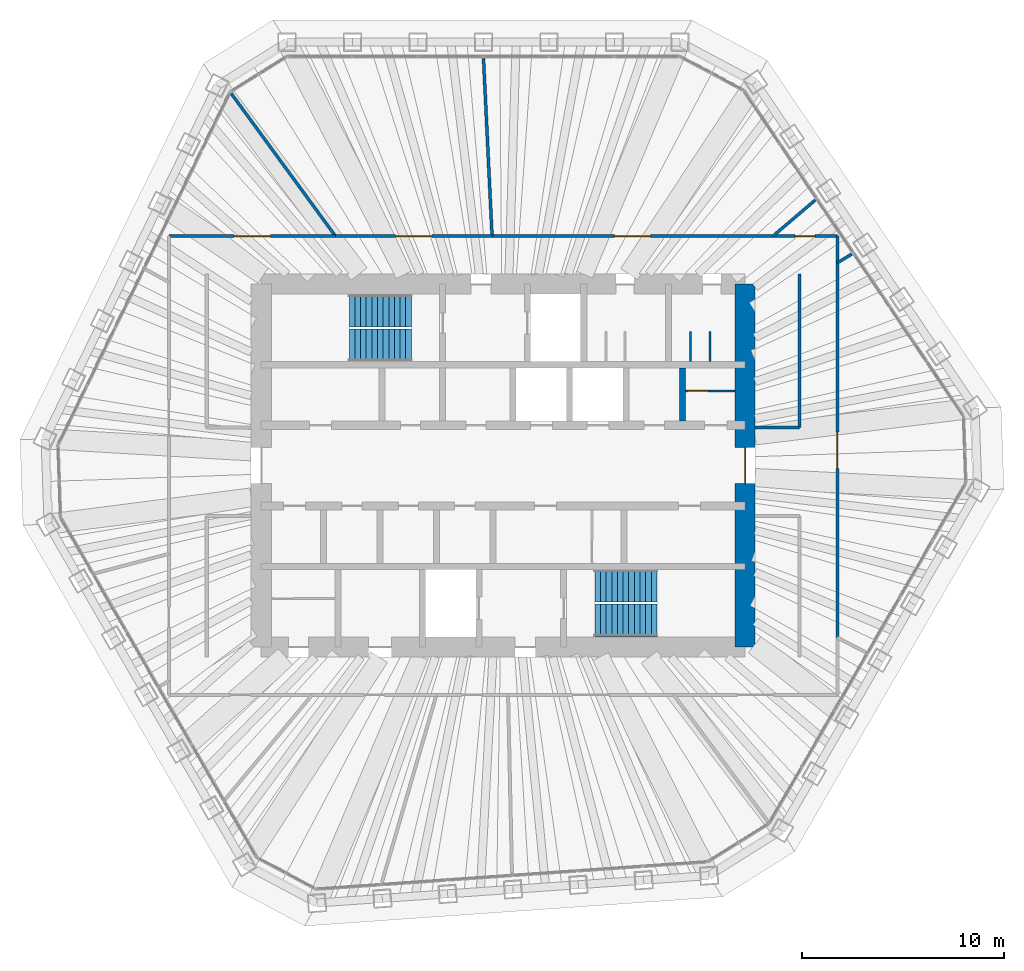
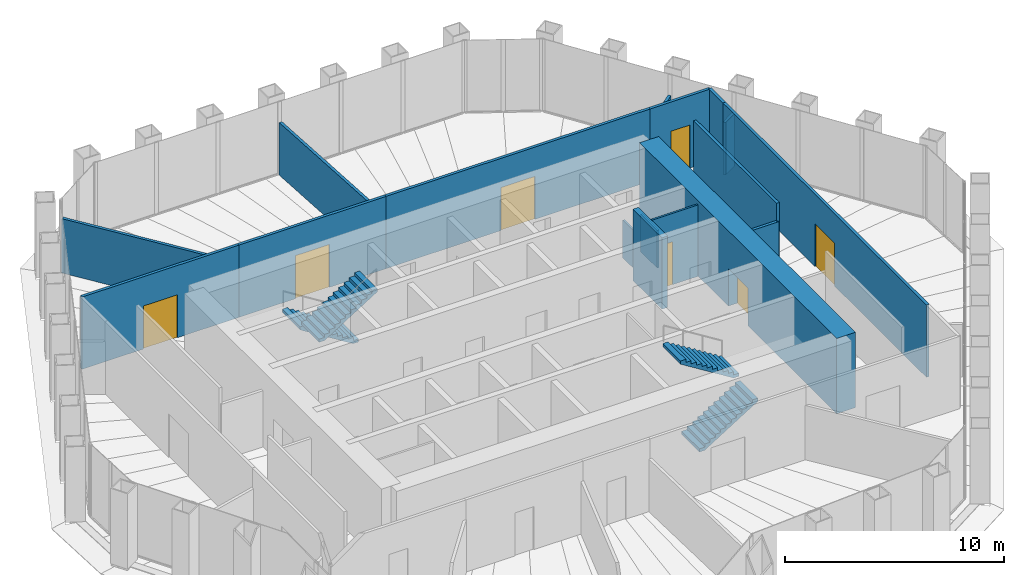
# One storey, part 13 of 14: 17 walls, 7 doors, 4 stair flights, 7 openings, 2 elements without a shape of their own.
"""IFC4 building model written with IfcOpenShell, lengths in metres."""

from ifc_helpers import new_model, si_unit, direction, frame, frame_2d, origin, place, context, subcontext, project, spatial, polyline, rectangle, outline, extrude, material, layer, layer_set, type_object, element, fill, aggregate, save


model = new_model("IFC4")

# Units and contexts
model_context = context("Model", 3, precision=1e-05, world=origin(), true_north=direction((0.0, 1.0)))
body_context = subcontext(model_context, "Body", "Model", "MODEL_VIEW")
ifc_project = project(units=[si_unit("LENGTHUNIT", "METRE"), si_unit("AREAUNIT", "SQUARE_METRE"), si_unit("VOLUMEUNIT", "CUBIC_METRE"), si_unit("PLANEANGLEUNIT", "RADIAN"), si_unit("MASSUNIT", "GRAM", prefix="KILO")], contexts=[model_context])

# Site, building, storey
site_placement = place(None, origin())
site = spatial("IfcSite", under=ifc_project, at=site_placement, CompositionType="ELEMENT")
building_placement = place(site_placement, origin())
building = spatial("IfcBuilding", under=site, at=building_placement, Name="Qingtian Harvest Tower", CompositionType="ELEMENT")
storey_placement = place(building_placement, frame((0.0, 0.0, 299.800048828125)))
storey = spatial("IfcBuildingStorey", under=building, at=storey_placement, Name="L66", CompositionType="ELEMENT", Elevation=299.800048828125)

# Wall
ifc_material_1 = material(Name="Precast concrete shaft panel", Category="concrete")
ifc_layer_1 = layer(ifc_material_1, 0.300048828125)
ifc_layer_set_1 = layer_set([ifc_layer_1], Name="Core shaft partition SW1 300")
wall_type_1 = type_object("IfcWallType", Name="Core shaft partition SW1 300", PredefinedType="PARTITIONING", material=ifc_layer_set_1)
wall_1_placement = place(storey_placement, frame((8.89990234375, 2.199951171875, 0.0), z_axis=(0.0, 0.0, 1.0), x_axis=(0.0, 1.0, 0.0)))
element("IfcWall", 1, at=wall_1_placement, inside=storey, type_object=wall_type_1, Name="Core shaft partition XA6 L66", PredefinedType="PARTITIONING", context=body_context, shape_type="SweptSolid", body=[
    extrude(rectangle(XDim=2.650146484375, YDim=0.300048828125, at=frame_2d((1.3251953125, 0.0))), origin(), (0.0, 0.0, 1.0), 3.97998046875),
])

# Wall, opening, door
ifc_material_2 = material(Name="Concrete fc' 70 MPa", Category="concrete")
ifc_layer_2 = layer(ifc_material_2, 1.0)
ifc_layer_set_2 = layer_set([ifc_layer_2], Name="Core wall RC3 1000")
wall_type_2 = type_object("IfcWallType", Name="Core wall RC3 1000", PredefinedType="SHEAR", material=ifc_layer_set_2)
wall_2_placement = place(storey_placement, frame((12.0, -9.0, 0.0), z_axis=(0.0, 0.0, 1.0), x_axis=(0.0, 1.0, 0.0)))
wall_2 = element("IfcWall", 2, at=wall_2_placement, inside=storey, type_object=wall_type_2, Name="Core wall CE L66", PredefinedType="SHEAR", context=body_context, shape_type="SweptSolid", body=[
    extrude(rectangle(XDim=18.0, YDim=1.0, at=frame_2d((9.0, 0.0))), origin(), (0.0, 0.0, 1.0), 4.199951171875),
])
opening_1_placement = place(wall_2_placement, frame((8.10009765625, 0.0, 0.0)))
opening_1 = element("IfcOpeningElement", 3, at=opening_1_placement, cuts=wall_2, Name="Opening FD2", PredefinedType="OPENING", context=body_context, shape_type="SweptSolid", body=[
    extrude(rectangle(XDim=1.800048828125, YDim=2.10009765625, at=frame_2d((0.89990234375, 1.050048828125))), frame((0.0, 0.510009765625, 0.0), z_axis=(0.0, -1.0, 0.0), x_axis=(1.0, 0.0, 0.0)), (0.0, 0.0, 1.0), 1.02001953125),
])
ifc_material_3 = material(Name="Steel-faced door leaf", Category="steel")
door_type_1 = type_object("IfcDoorType", Name="Fire door FD2 double 1 HR", OperationType="DOUBLE_DOOR_DOUBLE_SWING", PredefinedType="DOOR", material=ifc_material_3)
door_1_placement = place(opening_1_placement, origin())
door_1 = element("IfcDoor", 4, at=door_1_placement, inside=storey, type_object=door_type_1, Name="LOBBY-E door L66", OperationType="DOUBLE_DOOR_DOUBLE_SWING", OverallHeight=2.10009765625, OverallWidth=1.800048828125, PredefinedType="DOOR", context=body_context, shape_type="SweptSolid", body=[
    extrude(rectangle(XDim=1.800048828125, YDim=2.10009765625, at=frame_2d((0.89990234375, 1.050048828125))), frame((0.0, 0.02490234375, 0.0), z_axis=(0.0, -1.0, 0.0), x_axis=(1.0, 0.0, 0.0)), (0.0, 0.0, 1.0), 0.050048828125),
])
fill(opening_1, door_1)

ifc_material_4 = material(Name="Gypsum board on steel studs", Category="steel")
ifc_layer_3 = layer(ifc_material_4, 0.14990234375)
ifc_layer_set_3 = layer_set([ifc_layer_3], Name="Partition PT1 150")
wall_type_3 = type_object("IfcWallType", Name="Partition PT1 150", PredefinedType="PARTITIONING", material=ifc_layer_set_3)
wall_3_placement = place(storey_placement, frame((-16.574951171875, 11.375, 0.0), z_axis=(0.0, 0.0, 1.0), x_axis=(1.0, 0.0, 0.0)))
wall_3 = element("IfcWall", 5, at=wall_3_placement, inside=storey, type_object=wall_type_3, Name="Workplace zone wall L66", PredefinedType="PARTITIONING", context=body_context, shape_type="SweptSolid", body=[
    extrude(rectangle(XDim=8.2626953125, YDim=0.14990234375, at=frame_2d((4.13134765625, 0.0))), origin(), (0.0, 0.0, 1.0), 4.030029296875),
])
opening_2_placement = place(wall_3_placement, frame((3.2314453125, 0.0, 0.0)))
opening_2 = element("IfcOpeningElement", 6, at=opening_2_placement, cuts=wall_3, Name="Opening D3", PredefinedType="OPENING", context=body_context, shape_type="SweptSolid", body=[
    extrude(rectangle(XDim=1.800048828125, YDim=2.39990234375, at=frame_2d((0.89990234375, 1.199951171875))), frame((0.0, 0.0849609375, 0.0), z_axis=(0.0, -1.0, 0.0), x_axis=(1.0, 0.0, 0.0)), (0.0, 0.0, 1.0), 0.169921875),
])
ifc_material_5 = material(Name="Laminated timber door leaf", Category="wood")
door_type_2 = type_object("IfcDoorType", Name="Room door D3 double", OperationType="DOUBLE_DOOR_DOUBLE_SWING", PredefinedType="DOOR", material=ifc_material_5)
door_2_placement = place(opening_2_placement, origin())
door_2 = element("IfcDoor", 7, at=door_2_placement, inside=storey, type_object=door_type_2, Name="Workplace zone door L66", OperationType="DOUBLE_DOOR_DOUBLE_SWING", OverallHeight=2.39990234375, OverallWidth=1.800048828125, PredefinedType="DOOR", context=body_context, shape_type="SweptSolid", body=[
    extrude(rectangle(XDim=1.800048828125, YDim=2.39990234375, at=frame_2d((0.89990234375, 1.199951171875))), frame((0.0, 0.02490234375, 0.0), z_axis=(0.0, -1.0, 0.0), x_axis=(1.0, 0.0, 0.0)), (0.0, 0.0, 1.0), 0.050048828125),
])
fill(opening_2, door_2)

# Wall
wall_4_placement = place(storey_placement, frame((-13.486083984375, 18.455322265625, 0.0), z_axis=(0.0, 0.0, 1.0), x_axis=(0.589997742419, -0.807404894672, 0.0)))
element("IfcWall", 8, at=wall_4_placement, inside=storey, type_object=wall_type_3, Name="Meeting room wall L66", PredefinedType="PARTITIONING", context=body_context, shape_type="SweptSolid", body=[
    extrude(rectangle(XDim=8.769287109375, YDim=0.14990234375, at=frame_2d((4.384765625, 0.0))), origin(), (0.0, 0.0, 1.0), 3.030029296875),
])

# Wall, opening, door
wall_5_placement = place(storey_placement, frame((-8.312255859375, 11.375, 0.0), z_axis=(0.0, 0.0, 1.0), x_axis=(1.0, 0.0, 0.0)))
wall_5 = element("IfcWall", 9, at=wall_5_placement, inside=storey, type_object=wall_type_3, Name="Meeting room wall L66", PredefinedType="PARTITIONING", context=body_context, shape_type="SweptSolid", body=[
    extrude(rectangle(XDim=7.76416015625, YDim=0.14990234375, at=frame_2d((3.882080078125, 0.0))), origin(), (0.0, 0.0, 1.0), 4.030029296875),
])
opening_3_placement = place(wall_5_placement, frame((2.982177734375, 0.0, 0.0)))
opening_3 = element("IfcOpeningElement", 10, at=opening_3_placement, cuts=wall_5, Name="Opening D3", PredefinedType="OPENING", context=body_context, shape_type="SweptSolid", body=[
    extrude(rectangle(XDim=1.800048828125, YDim=2.39990234375, at=frame_2d((0.89990234375, 1.199951171875))), frame((0.0, 0.0849609375, 0.0), z_axis=(0.0, -1.0, 0.0), x_axis=(1.0, 0.0, 0.0)), (0.0, 0.0, 1.0), 0.169921875),
])
door_3_placement = place(opening_3_placement, origin())
door_3 = element("IfcDoor", 11, at=door_3_placement, inside=storey, type_object=door_type_2, Name="Meeting room door L66", OperationType="DOUBLE_DOOR_DOUBLE_SWING", OverallHeight=2.39990234375, OverallWidth=1.800048828125, PredefinedType="DOOR", context=body_context, shape_type="SweptSolid", body=[
    extrude(rectangle(XDim=1.800048828125, YDim=2.39990234375, at=frame_2d((0.89990234375, 1.199951171875))), frame((0.0, 0.02490234375, 0.0), z_axis=(0.0, -1.0, 0.0), x_axis=(1.0, 0.0, 0.0)), (0.0, 0.0, 1.0), 0.050048828125),
])
fill(opening_3, door_3)

# Wall
wall_6_placement = place(storey_placement, frame((-0.973388671875, 20.2001953125, 0.0), z_axis=(0.0, 0.0, 1.0), x_axis=(0.048134910622, -0.998840843368, 0.0)))
element("IfcWall", 12, at=wall_6_placement, inside=storey, type_object=wall_type_3, Name="Workplace zone wall L66", PredefinedType="PARTITIONING", context=body_context, shape_type="SweptSolid", body=[
    extrude(rectangle(XDim=8.83544921875, YDim=0.14990234375, at=frame_2d((4.417724609375, 0.0))), origin(), (0.0, 0.0, 1.0), 2.929931640625),
])

# Wall, opening, door
wall_7_placement = place(storey_placement, frame((-0.548095703125, 11.375, 0.0), z_axis=(0.0, 0.0, 1.0), x_axis=(1.0, 0.0, 0.0)))
wall_7 = element("IfcWall", 13, at=wall_7_placement, inside=storey, type_object=wall_type_3, Name="Workplace zone wall L66", PredefinedType="PARTITIONING", context=body_context, shape_type="SweptSolid", body=[
    extrude(rectangle(XDim=13.923095703125, YDim=0.14990234375, at=frame_2d((6.96142578125, 0.0))), origin(), (0.0, 0.0, 1.0), 4.030029296875),
])
opening_4_placement = place(wall_7_placement, frame((6.0615234375, 0.0, 0.0)))
opening_4 = element("IfcOpeningElement", 14, at=opening_4_placement, cuts=wall_7, Name="Opening D3", PredefinedType="OPENING", context=body_context, shape_type="SweptSolid", body=[
    extrude(rectangle(XDim=1.800048828125, YDim=2.39990234375, at=frame_2d((0.89990234375, 1.199951171875))), frame((0.0, 0.0849609375, 0.0), z_axis=(0.0, -1.0, 0.0), x_axis=(1.0, 0.0, 0.0)), (0.0, 0.0, 1.0), 0.169921875),
])
door_4_placement = place(opening_4_placement, origin())
door_4 = element("IfcDoor", 15, at=door_4_placement, inside=storey, type_object=door_type_2, Name="Workplace zone door L66", OperationType="DOUBLE_DOOR_DOUBLE_SWING", OverallHeight=2.39990234375, OverallWidth=1.800048828125, PredefinedType="DOOR", context=body_context, shape_type="SweptSolid", body=[
    extrude(rectangle(XDim=1.800048828125, YDim=2.39990234375, at=frame_2d((0.89990234375, 1.199951171875))), frame((0.0, 0.02490234375, 0.0), z_axis=(0.0, -1.0, 0.0), x_axis=(1.0, 0.0, 0.0)), (0.0, 0.0, 1.0), 0.050048828125),
])
fill(opening_4, door_4)

# Wall
wall_8_placement = place(storey_placement, frame((15.48388671875, 13.168701171875, 0.0), z_axis=(0.0, 0.0, 1.0), x_axis=(-0.761734753955, -0.647889006403, 0.0)))
element("IfcWall", 16, at=wall_8_placement, inside=storey, type_object=wall_type_3, Name="Store room wall L66", PredefinedType="PARTITIONING", context=body_context, shape_type="SweptSolid", body=[
    extrude(rectangle(XDim=2.7685546875, YDim=0.14990234375, at=frame_2d((1.38427734375, 0.0))), origin(), (0.0, 0.0, 1.0), 2.929931640625),
])

# Wall, opening, door
wall_9_placement = place(storey_placement, frame((13.375, 11.375, 0.0), z_axis=(0.0, 0.0, 1.0), x_axis=(1.0, 0.0, 0.0)))
wall_9 = element("IfcWall", 17, at=wall_9_placement, inside=storey, type_object=wall_type_3, Name="Store room wall L66", PredefinedType="PARTITIONING", context=body_context, shape_type="SweptSolid", body=[
    extrude(rectangle(XDim=3.199951171875, YDim=0.14990234375, at=frame_2d((1.60009765625, 0.0))), origin(), (0.0, 0.0, 1.0), 4.030029296875),
])
opening_5_placement = place(wall_9_placement, frame((1.10009765625, 0.0, 0.0)))
opening_5 = element("IfcOpeningElement", 18, at=opening_5_placement, cuts=wall_9, Name="Opening D2", PredefinedType="OPENING", context=body_context, shape_type="SweptSolid", body=[
    extrude(rectangle(XDim=1.0, YDim=2.39990234375, at=frame_2d((0.5, 1.199951171875))), frame((0.0, 0.0849609375, 0.0), z_axis=(0.0, -1.0, 0.0), x_axis=(1.0, 0.0, 0.0)), (0.0, 0.0, 1.0), 0.169921875),
])
ifc_material_6 = material(Name="Laminated timber door leaf", Category="wood")
door_type_3 = type_object("IfcDoorType", Name="Room door D2 single", OperationType="SINGLE_SWING_LEFT", PredefinedType="DOOR", material=ifc_material_6)
door_5_placement = place(opening_5_placement, origin())
door_5 = element("IfcDoor", 19, at=door_5_placement, inside=storey, type_object=door_type_3, Name="Store room door L66", OperationType="SINGLE_SWING_RIGHT", OverallHeight=2.39990234375, OverallWidth=1.0, PredefinedType="DOOR", context=body_context, shape_type="SweptSolid", body=[
    extrude(rectangle(XDim=1.0, YDim=2.39990234375, at=frame_2d((0.5, 1.199951171875))), frame((0.0, 0.02490234375, 0.0), z_axis=(0.0, -1.0, 0.0), x_axis=(1.0, 0.0, 0.0)), (0.0, 0.0, 1.0), 0.050048828125),
])
fill(opening_5, door_5)

# Walls
wall_10_placement = place(storey_placement, frame((16.574951171875, 11.375, 0.0), z_axis=(0.0, 0.0, 1.0), x_axis=(0.0, -1.0, 0.0)))
element("IfcWall", 20, at=wall_10_placement, inside=storey, type_object=wall_type_3, Name="Store room wall L66", PredefinedType="PARTITIONING", context=body_context, shape_type="SweptSolid", body=[
    extrude(rectangle(XDim=1.320556640625, YDim=0.14990234375, at=frame_2d((0.66015625, 0.0))), origin(), (0.0, 0.0, 1.0), 4.030029296875),
])
wall_11_placement = place(storey_placement, frame((17.291015625, 10.48876953125, 0.0), z_axis=(0.0, 0.0, 1.0), x_axis=(-0.855013745288, -0.518605336811, 0.0)))
element("IfcWall", 21, at=wall_11_placement, inside=storey, type_object=wall_type_3, Name="Workplace zone wall L66", PredefinedType="PARTITIONING", context=body_context, shape_type="SweptSolid", body=[
    extrude(rectangle(XDim=0.83740234375, YDim=0.14990234375, at=frame_2d((0.418701171875, 0.0))), origin(), (0.0, 0.0, 1.0), 2.929931640625),
])

# Wall, opening, door
wall_12_placement = place(storey_placement, frame((16.574951171875, 10.054443359375, 0.0), z_axis=(0.0, 0.0, 1.0), x_axis=(0.0, -1.0, 0.0)))
wall_12 = element("IfcWall", 22, at=wall_12_placement, inside=storey, type_object=wall_type_3, Name="Workplace zone wall L66", PredefinedType="PARTITIONING", context=body_context, shape_type="SweptSolid", body=[
    extrude(rectangle(XDim=18.587890625, YDim=0.14990234375, at=frame_2d((9.2939453125, 0.0))), origin(), (0.0, 0.0, 1.0), 4.030029296875),
])
opening_6_placement = place(wall_12_placement, frame((8.39404296875, 0.0, 0.0)))
opening_6 = element("IfcOpeningElement", 23, at=opening_6_placement, cuts=wall_12, Name="Opening D3", PredefinedType="OPENING", context=body_context, shape_type="SweptSolid", body=[
    extrude(rectangle(XDim=1.800048828125, YDim=2.39990234375, at=frame_2d((0.89990234375, 1.199951171875))), frame((0.0, 0.0849609375, 0.0), z_axis=(0.0, -1.0, 0.0), x_axis=(1.0, 0.0, 0.0)), (0.0, 0.0, 1.0), 0.169921875),
])
door_6_placement = place(opening_6_placement, origin())
door_6 = element("IfcDoor", 24, at=door_6_placement, inside=storey, type_object=door_type_2, Name="Workplace zone door L66", OperationType="DOUBLE_DOOR_DOUBLE_SWING", OverallHeight=2.39990234375, OverallWidth=1.800048828125, PredefinedType="DOOR", context=body_context, shape_type="SweptSolid", body=[
    extrude(rectangle(XDim=1.800048828125, YDim=2.39990234375, at=frame_2d((0.89990234375, 1.199951171875))), frame((0.0, 0.02490234375, 0.0), z_axis=(0.0, -1.0, 0.0), x_axis=(1.0, 0.0, 0.0)), (0.0, 0.0, 1.0), 0.050048828125),
])
fill(opening_6, door_6)

# Walls
wall_13_placement = place(storey_placement, frame((14.699951171875, 1.89990234375, 0.0), z_axis=(0.0, 0.0, 1.0), x_axis=(0.0, 1.0, 0.0)))
element("IfcWall", 25, at=wall_13_placement, inside=storey, type_object=wall_type_3, Name="Coffee point wall L66", PredefinedType="PARTITIONING", context=body_context, shape_type="SweptSolid", body=[
    extrude(rectangle(XDim=7.60009765625, YDim=0.14990234375, at=frame_2d((3.800048828125, 0.0))), origin(), (0.0, 0.0, 1.0), 4.030029296875),
])
wall_14_placement = place(storey_placement, frame((12.5, 1.89990234375, 0.0), z_axis=(0.0, 0.0, 1.0), x_axis=(1.0, 0.0, 0.0)))
element("IfcWall", 26, at=wall_14_placement, inside=storey, type_object=wall_type_3, Name="Coffee point wall L66", PredefinedType="PARTITIONING", context=body_context, shape_type="SweptSolid", body=[
    extrude(rectangle(XDim=2.199951171875, YDim=0.14990234375, at=frame_2d((1.10009765625, 0.0))), origin(), (0.0, 0.0, 1.0), 3.030029296875),
])

# Wall, opening, door
ifc_material_7 = material(Name="Concrete block partition", Category="concrete")
ifc_layer_4 = layer(ifc_material_7, 0.10009765625)
ifc_layer_set_4 = layer_set([ifc_layer_4], Name="Store partition PT3 100")
wall_type_4 = type_object("IfcWallType", Name="Store partition PT3 100", PredefinedType="PARTITIONING", material=ifc_layer_set_4)
wall_15_placement = place(storey_placement, frame((9.050048828125, 3.699951171875, 0.0), z_axis=(0.0, 0.0, 1.0), x_axis=(1.0, 0.0, 0.0)))
wall_15 = element("IfcWall", 27, at=wall_15_placement, inside=storey, type_object=wall_type_4, Name="Filter plant room wall L66", PredefinedType="PARTITIONING", context=body_context, shape_type="SweptSolid", body=[
    extrude(rectangle(XDim=2.449951171875, YDim=0.10009765625, at=frame_2d((1.22509765625, 0.0))), origin(), (0.0, 0.0, 1.0), 3.97998046875),
])
opening_7_placement = place(wall_15_placement, frame((0.10009765625, 0.0, 0.0)))
opening_7 = element("IfcOpeningElement", 28, at=opening_7_placement, cuts=wall_15, Name="Opening D2", PredefinedType="OPENING", context=body_context, shape_type="SweptSolid", body=[
    extrude(rectangle(XDim=1.0, YDim=2.39990234375, at=frame_2d((0.5, 1.199951171875))), frame((0.0, 0.06005859375, 0.0), z_axis=(0.0, -1.0, 0.0), x_axis=(1.0, 0.0, 0.0)), (0.0, 0.0, 1.0), 0.1201171875),
])
door_7_placement = place(opening_7_placement, origin())
door_7 = element("IfcDoor", 29, at=door_7_placement, inside=storey, type_object=door_type_3, Name="Filter plant room door L66", OperationType="SINGLE_SWING_LEFT", OverallHeight=2.39990234375, OverallWidth=1.0, PredefinedType="DOOR", context=body_context, shape_type="SweptSolid", body=[
    extrude(rectangle(XDim=1.0, YDim=2.39990234375, at=frame_2d((0.5, 1.199951171875))), frame((0.0, 0.02490234375, 0.0), z_axis=(0.0, -1.0, 0.0), x_axis=(1.0, 0.0, 0.0)), (0.0, 0.0, 1.0), 0.050048828125),
])
fill(opening_7, door_7)

# Walls
ifc_material_8 = material(Name="Compact laminate cubicle partition", Category="plastic")
ifc_layer_5 = layer(ifc_material_8, 0.10009765625)
ifc_layer_set_5 = layer_set([ifc_layer_5], Name="WC cubicle partition WP1 100")
wall_type_5 = type_object("IfcWallType", Name="WC cubicle partition WP1 100", PredefinedType="PARTITIONING", material=ifc_layer_set_5)
for number, where, z_axis, x_axis, name in (
    (30, (9.300048828125, 5.14990234375, 0.0), (0.0, 0.0, 1.0), (0.0, 1.0, 0.0), "WC cubicle partition WCF L66"),
    (31, (10.25, 5.14990234375, 0.0), (0.0, 0.0, 1.0), (0.0, 1.0, 0.0), "WC cubicle partition WCF L66"),
):
    element("IfcWall", number, at=place(storey_placement, frame(where, z_axis=z_axis, x_axis=x_axis)), inside=storey, type_object=wall_type_5, Name=name, PredefinedType="PARTITIONING", context=body_context, shape_type="SweptSolid", body=[
        extrude(rectangle(XDim=1.5, YDim=0.10009765625, at=frame_2d((0.75, 0.0))), origin(), (0.0, 0.0, 1.0), 2.099853515625),
    ])

# Stair, stair flights
ifc_material_9 = material(Name="Concrete fc' 35 MPa", Category="concrete")
stair_type = type_object("IfcStairType", Name="Special stair ST6 4200", PredefinedType="HALF_TURN_STAIR", material=ifc_material_9)
stair_1_placement = place(storey_placement, origin())
stair_1 = element("IfcStair", 32, at=stair_1_placement, inside=storey, type_object=stair_type, Name="Special stair S1 L66", PredefinedType="HALF_TURN_STAIR")
ifc_material_10 = material(Name="Concrete fc' 35 MPa", Category="concrete")
stair_flight_type = type_object("IfcStairFlightType", Name="Stair flight SF6 4200", PredefinedType="STRAIGHT", material=ifc_material_10)
stair_flight_1_placement = place(storey_placement, frame((-4.550048828125, 7.6875, 0.0), z_axis=(0.0, 0.0, 1.0), x_axis=(-1.0, 0.0, 0.0)))
stair_flight_1 = element("IfcStairFlight", 33, at=stair_flight_1_placement, type_object=stair_flight_type, Name="S1 flight 1", NumberOfRisers=12, NumberOfTreads=11, PredefinedType="STRAIGHT", RiserHeight=0.175, TreadLength=0.28, context=body_context, shape_type="SweptSolid", body=[
    extrude(outline(polyline([(0.0, 0.0), (0.0, 0.175048828125), (0.280029296875, 0.175048828125), (0.280029296875, 0.35009765625), (0.56005859375, 0.35009765625), (0.56005859375, 0.52490234375), (0.840087890625, 0.52490234375), (0.840087890625, 0.699951171875), (1.1201171875, 0.699951171875), (1.1201171875, 0.875), (1.39990234375, 0.875), (1.39990234375, 1.050048828125), (1.679931640625, 1.050048828125), (1.679931640625, 1.22509765625), (1.9599609375, 1.22509765625), (1.9599609375, 1.39990234375), (2.239990234375, 1.39990234375), (2.239990234375, 1.574951171875), (2.52001953125, 1.574951171875), (2.52001953125, 1.75), (2.800048828125, 1.75), (2.800048828125, 1.925048828125), (3.080078125, 1.925048828125), (3.080078125, 2.10009765625), (3.080078125, 1.748291015625), (0.28271484375, 0.0), (0.0, 0.0)])), frame((0.0, 0.8125, 0.0), z_axis=(0.0, -1.0, 0.0), x_axis=(1.0, 0.0, 0.0)), (0.0, 0.0, 1.0), 1.625),
])
stair_flight_2_placement = place(storey_placement, frame((-7.6298828125, 5.96240234375, 2.099853515625), z_axis=(0.0, 0.0, 1.0), x_axis=(1.0, 0.0, 0.0)))
stair_flight_2 = element("IfcStairFlight", 34, at=stair_flight_2_placement, type_object=stair_flight_type, Name="S1 flight 2", NumberOfRisers=12, NumberOfTreads=11, PredefinedType="STRAIGHT", RiserHeight=0.175, TreadLength=0.28, context=body_context, shape_type="SweptSolid", body=[
    extrude(outline(polyline([(0.0, 0.0), (0.0, 0.175048828125), (0.280029296875, 0.175048828125), (0.280029296875, 0.35009765625), (0.56005859375, 0.35009765625), (0.56005859375, 0.52490234375), (0.840087890625, 0.52490234375), (0.840087890625, 0.699951171875), (1.1201171875, 0.699951171875), (1.1201171875, 0.875), (1.39990234375, 0.875), (1.39990234375, 1.050048828125), (1.679931640625, 1.050048828125), (1.679931640625, 1.22509765625), (1.9599609375, 1.22509765625), (1.9599609375, 1.39990234375), (2.239990234375, 1.39990234375), (2.239990234375, 1.574951171875), (2.52001953125, 1.574951171875), (2.52001953125, 1.75), (2.800048828125, 1.75), (2.800048828125, 1.925048828125), (3.080078125, 1.925048828125), (3.080078125, 2.10009765625), (3.080078125, 1.748291015625), (0.28271484375, 0.0), (0.0, 0.0)])), frame((0.0, 0.8125, 0.0), z_axis=(0.0, -1.0, 0.0), x_axis=(1.0, 0.0, 0.0)), (0.0, 0.0, 1.0), 1.625),
])
aggregate(stair_1, [stair_flight_1, stair_flight_2])

stair_2_placement = place(storey_placement, origin())
stair_2 = element("IfcStair", 35, at=stair_2_placement, inside=storey, type_object=stair_type, Name="Special stair S2 L66", PredefinedType="HALF_TURN_STAIR")
stair_flight_3_placement = place(storey_placement, frame((4.550048828125, -7.6875, 0.0), z_axis=(0.0, 0.0, 1.0), x_axis=(1.0, 0.0, 0.0)))
stair_flight_3 = element("IfcStairFlight", 36, at=stair_flight_3_placement, type_object=stair_flight_type, Name="S2 flight 1", NumberOfRisers=12, NumberOfTreads=11, PredefinedType="STRAIGHT", RiserHeight=0.175, TreadLength=0.28, context=body_context, shape_type="SweptSolid", body=[
    extrude(outline(polyline([(0.0, 0.0), (0.0, 0.175048828125), (0.280029296875, 0.175048828125), (0.280029296875, 0.35009765625), (0.56005859375, 0.35009765625), (0.56005859375, 0.52490234375), (0.840087890625, 0.52490234375), (0.840087890625, 0.699951171875), (1.1201171875, 0.699951171875), (1.1201171875, 0.875), (1.39990234375, 0.875), (1.39990234375, 1.050048828125), (1.679931640625, 1.050048828125), (1.679931640625, 1.22509765625), (1.9599609375, 1.22509765625), (1.9599609375, 1.39990234375), (2.239990234375, 1.39990234375), (2.239990234375, 1.574951171875), (2.52001953125, 1.574951171875), (2.52001953125, 1.75), (2.800048828125, 1.75), (2.800048828125, 1.925048828125), (3.080078125, 1.925048828125), (3.080078125, 2.10009765625), (3.080078125, 1.748291015625), (0.28271484375, 0.0), (0.0, 0.0)])), frame((0.0, 0.8125, 0.0), z_axis=(0.0, -1.0, 0.0), x_axis=(1.0, 0.0, 0.0)), (0.0, 0.0, 1.0), 1.625),
])
stair_flight_4_placement = place(storey_placement, frame((7.6298828125, -5.96240234375, 2.099853515625), z_axis=(0.0, 0.0, 1.0), x_axis=(-1.0, 0.0, 0.0)))
stair_flight_4 = element("IfcStairFlight", 37, at=stair_flight_4_placement, type_object=stair_flight_type, Name="S2 flight 2", NumberOfRisers=12, NumberOfTreads=11, PredefinedType="STRAIGHT", RiserHeight=0.175, TreadLength=0.28, context=body_context, shape_type="SweptSolid", body=[
    extrude(outline(polyline([(0.0, 0.0), (0.0, 0.175048828125), (0.280029296875, 0.175048828125), (0.280029296875, 0.35009765625), (0.56005859375, 0.35009765625), (0.56005859375, 0.52490234375), (0.840087890625, 0.52490234375), (0.840087890625, 0.699951171875), (1.1201171875, 0.699951171875), (1.1201171875, 0.875), (1.39990234375, 0.875), (1.39990234375, 1.050048828125), (1.679931640625, 1.050048828125), (1.679931640625, 1.22509765625), (1.9599609375, 1.22509765625), (1.9599609375, 1.39990234375), (2.239990234375, 1.39990234375), (2.239990234375, 1.574951171875), (2.52001953125, 1.574951171875), (2.52001953125, 1.75), (2.800048828125, 1.75), (2.800048828125, 1.925048828125), (3.080078125, 1.925048828125), (3.080078125, 2.10009765625), (3.080078125, 1.748291015625), (0.28271484375, 0.0), (0.0, 0.0)])), frame((0.0, 0.8125, 0.0), z_axis=(0.0, -1.0, 0.0), x_axis=(1.0, 0.0, 0.0)), (0.0, 0.0, 1.0), 1.625),
])
aggregate(stair_2, [stair_flight_3, stair_flight_4])

save(model, "model.ifc")
